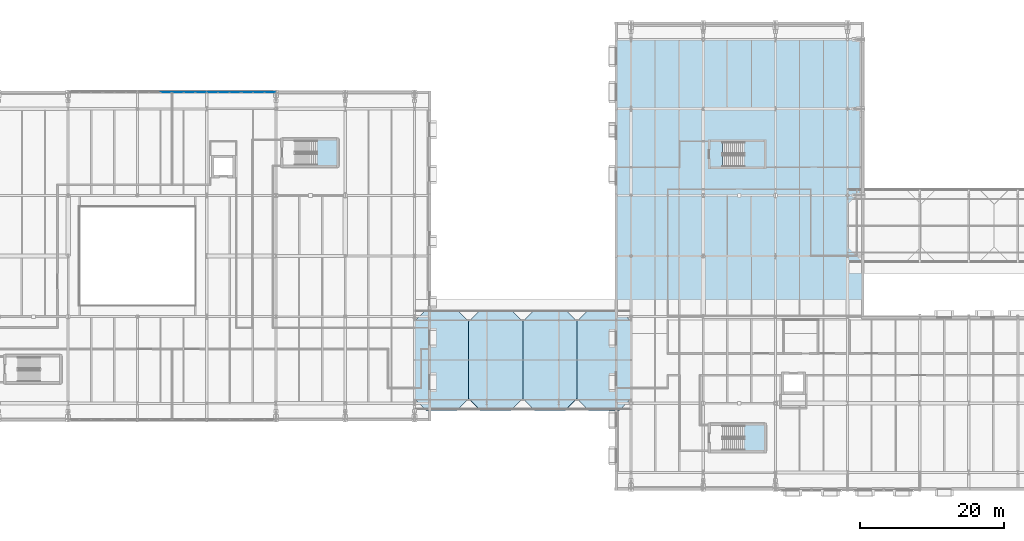
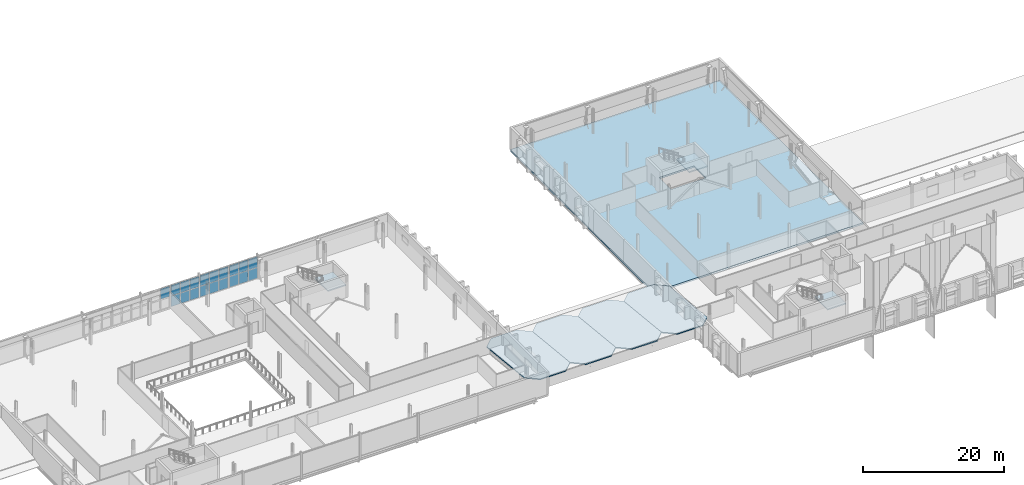
# One storey, part 44 of 90: 19 plates, 8 slabs, 8 elements without a shape of their own.
"""IFC4 building model written with IfcOpenShell, lengths in metres."""

from ifc_helpers import new_model, si_unit, direction, frame, origin, origin_2d, place, context, subcontext, project, spatial, polyline, rectangle, outline, extrude, material, layer, layer_set, type_object, element, aggregate, save


model = new_model("IFC4")

# Units and contexts
model_context = context("Model", 3, precision=1e-05, world=origin(), true_north=direction((0.0, 1.0)))
body_context = subcontext(model_context, "Body", "Model", "MODEL_VIEW")
ifc_project = project(units=[si_unit("LENGTHUNIT", "METRE"), si_unit("AREAUNIT", "SQUARE_METRE"), si_unit("VOLUMEUNIT", "CUBIC_METRE"), si_unit("PLANEANGLEUNIT", "RADIAN"), si_unit("MASSUNIT", "GRAM", prefix="KILO")], contexts=[model_context])

# Site, building, storey
site_placement = place(None, origin())
site = spatial("IfcSite", under=ifc_project, at=site_placement, CompositionType="ELEMENT")
building_placement = place(site_placement, origin())
building = spatial("IfcBuilding", under=site, at=building_placement, Name="Zereglee Splitstone Museum", CompositionType="ELEMENT")
storey_placement = place(building_placement, frame((0.0, 0.0, 4.800048828125)))
storey = spatial("IfcBuildingStorey", under=building, at=storey_placement, Name="L01", CompositionType="ELEMENT", Elevation=4.800048828125)

# Curtain wall, plates
ifc_material_1 = material(Name="Triple-glazed low-E argon glass and bronze-anodised aluminium", Category="aluminium")
ifc_layer_1 = layer(ifc_material_1, 0.219970703125)
ifc_layer_set_1 = layer_set([ifc_layer_1], Name="Triple-glazed low-E argon glass and bronze-anodised aluminium")
curtain_wall_type_1 = type_object("IfcCurtainWallType", Name="CW-0476-390", PredefinedType="USERDEFINED", material=ifc_layer_set_1)
curtain_wall_1_placement = place(storey_placement, origin())
curtain_wall_1 = element("IfcCurtainWall", 1, at=curtain_wall_1_placement, inside=storey, type_object=curtain_wall_type_1, Name="Glazed Curtain Wall CW-0476-390 (L01)", ObjectType="GLAZED CURTAIN WALL", PredefinedType="USERDEFINED")
ifc_material_2 = material(Name="Triple low-e argon insulated safety glass", Category="glass")
ifc_layer_2 = layer(ifc_material_2, 0.035888671875)
ifc_layer_set_2 = layer_set([ifc_layer_2], Name="Triple low-e argon insulated safety glass")
plate_type = type_object("IfcPlateType", Name="CWP-01", PredefinedType="CURTAIN_PANEL", material=ifc_layer_set_2)
plate_1_placement = place(storey_placement, frame((125.18798828125, 52.679931640625, 0.074951171875), z_axis=(0.0, 0.0, 1.0), x_axis=(-1.0, 0.0, 0.0)))
plate_1 = element("IfcPlate", 2, at=plate_1_placement, type_object=plate_type, Name="CW-0476-390 panel 1.1", PredefinedType="CURTAIN_PANEL", context=body_context, shape_type="SweptSolid", body=[
    extrude(rectangle(XDim=1.47412109375, YDim=0.035888671875, at=origin_2d()), origin(), (0.0, 0.0, 1.0), 1.83740234375),
])
plate_2_placement = place(storey_placement, frame((125.18798828125, 52.679931640625, 1.987548828125), z_axis=(0.0, 0.0, 1.0), x_axis=(-1.0, 0.0, 0.0)))
plate_2 = element("IfcPlate", 3, at=plate_2_placement, type_object=plate_type, Name="CW-0476-390 panel 1.2", PredefinedType="CURTAIN_PANEL", context=body_context, shape_type="SweptSolid", body=[
    extrude(rectangle(XDim=1.47412109375, YDim=0.035888671875, at=origin_2d()), origin(), (0.0, 0.0, 1.0), 1.83740234375),
])
plate_3_placement = place(storey_placement, frame((123.6201171875, 52.679931640625, 0.074951171875), z_axis=(0.0, 0.0, 1.0), x_axis=(-1.0, 0.0, 0.0)))
plate_3 = element("IfcPlate", 4, at=plate_3_placement, type_object=plate_type, Name="CW-0476-390 panel 2.1", PredefinedType="CURTAIN_PANEL", context=body_context, shape_type="SweptSolid", body=[
    extrude(rectangle(XDim=1.51171875, YDim=0.035888671875, at=origin_2d()), origin(), (0.0, 0.0, 1.0), 1.83740234375),
])
plate_4_placement = place(storey_placement, frame((123.6201171875, 52.679931640625, 1.987548828125), z_axis=(0.0, 0.0, 1.0), x_axis=(-1.0, 0.0, 0.0)))
plate_4 = element("IfcPlate", 5, at=plate_4_placement, type_object=plate_type, Name="CW-0476-390 panel 2.2", PredefinedType="CURTAIN_PANEL", context=body_context, shape_type="SweptSolid", body=[
    extrude(rectangle(XDim=1.51171875, YDim=0.035888671875, at=origin_2d()), origin(), (0.0, 0.0, 1.0), 1.83740234375),
])
plate_5_placement = place(storey_placement, frame((122.052001953125, 52.679931640625, 0.074951171875), z_axis=(0.0, 0.0, 1.0), x_axis=(-1.0, 0.0, 0.0)))
plate_5 = element("IfcPlate", 6, at=plate_5_placement, type_object=plate_type, Name="CW-0476-390 panel 3.1", PredefinedType="CURTAIN_PANEL", context=body_context, shape_type="SweptSolid", body=[
    extrude(rectangle(XDim=1.47412109375, YDim=0.035888671875, at=origin_2d()), origin(), (0.0, 0.0, 1.0), 1.83740234375),
])
plate_6_placement = place(storey_placement, frame((122.052001953125, 52.679931640625, 1.987548828125), z_axis=(0.0, 0.0, 1.0), x_axis=(-1.0, 0.0, 0.0)))
plate_6 = element("IfcPlate", 7, at=plate_6_placement, type_object=plate_type, Name="CW-0476-390 panel 3.2", PredefinedType="CURTAIN_PANEL", context=body_context, shape_type="SweptSolid", body=[
    extrude(rectangle(XDim=1.47412109375, YDim=0.035888671875, at=origin_2d()), origin(), (0.0, 0.0, 1.0), 1.83740234375),
])
aggregate(curtain_wall_1, [plate_1, plate_2, plate_3, plate_4, plate_5, plate_6])

ifc_layer_3 = layer(ifc_material_1, 0.219970703125)
ifc_layer_set_3 = layer_set([ifc_layer_3], Name="Triple-glazed low-E argon glass and bronze-anodised aluminium")
curtain_wall_type_2 = type_object("IfcCurtainWallType", Name="CW-0476-388", PredefinedType="USERDEFINED", material=ifc_layer_set_3)
curtain_wall_2_placement = place(storey_placement, origin())
curtain_wall_2 = element("IfcCurtainWall", 8, at=curtain_wall_2_placement, inside=storey, type_object=curtain_wall_type_2, Name="Glazed Curtain Wall CW-0476-388 (L01)", ObjectType="GLAZED CURTAIN WALL", PredefinedType="USERDEFINED")
plate_7_placement = place(storey_placement, frame((120.347900390625, 52.679931640625, 0.0751953125), z_axis=(0.0, 0.0, 1.0), x_axis=(-1.0, 0.0, 0.0)))
plate_7 = element("IfcPlate", 9, at=plate_7_placement, type_object=plate_type, Name="CW-0476-388 panel 1.1", PredefinedType="CURTAIN_PANEL", context=body_context, shape_type="SweptSolid", body=[
    extrude(rectangle(XDim=1.47412109375, YDim=0.035888671875, at=origin_2d()), origin(), (0.0, 0.0, 1.0), 1.827392578125),
])
plate_8_placement = place(storey_placement, frame((120.347900390625, 52.679931640625, 1.9775390625), z_axis=(0.0, 0.0, 1.0), x_axis=(-1.0, 0.0, 0.0)))
plate_8 = element("IfcPlate", 10, at=plate_8_placement, type_object=plate_type, Name="CW-0476-388 panel 1.2", PredefinedType="CURTAIN_PANEL", context=body_context, shape_type="SweptSolid", body=[
    extrude(rectangle(XDim=1.47412109375, YDim=0.035888671875, at=origin_2d()), origin(), (0.0, 0.0, 1.0), 1.827392578125),
])
plate_9_placement = place(storey_placement, frame((118.780029296875, 52.679931640625, 0.0751953125), z_axis=(0.0, 0.0, 1.0), x_axis=(-1.0, 0.0, 0.0)))
plate_9 = element("IfcPlate", 11, at=plate_9_placement, type_object=plate_type, Name="CW-0476-388 panel 2.1", PredefinedType="CURTAIN_PANEL", context=body_context, shape_type="SweptSolid", body=[
    extrude(rectangle(XDim=1.51171875, YDim=0.035888671875, at=origin_2d()), origin(), (0.0, 0.0, 1.0), 1.827392578125),
])
plate_10_placement = place(storey_placement, frame((118.780029296875, 52.679931640625, 1.9775390625), z_axis=(0.0, 0.0, 1.0), x_axis=(-1.0, 0.0, 0.0)))
plate_10 = element("IfcPlate", 12, at=plate_10_placement, type_object=plate_type, Name="CW-0476-388 panel 2.2", PredefinedType="CURTAIN_PANEL", context=body_context, shape_type="SweptSolid", body=[
    extrude(rectangle(XDim=1.51171875, YDim=0.035888671875, at=origin_2d()), origin(), (0.0, 0.0, 1.0), 1.827392578125),
])
plate_11_placement = place(storey_placement, frame((117.212158203125, 52.679931640625, 0.0751953125), z_axis=(0.0, 0.0, 1.0), x_axis=(-1.0, 0.0, 0.0)))
plate_11 = element("IfcPlate", 13, at=plate_11_placement, type_object=plate_type, Name="CW-0476-388 panel 3.1", PredefinedType="CURTAIN_PANEL", context=body_context, shape_type="SweptSolid", body=[
    extrude(rectangle(XDim=1.47412109375, YDim=0.035888671875, at=origin_2d()), origin(), (0.0, 0.0, 1.0), 1.827392578125),
])
plate_12_placement = place(storey_placement, frame((117.212158203125, 52.679931640625, 1.9775390625), z_axis=(0.0, 0.0, 1.0), x_axis=(-1.0, 0.0, 0.0)))
plate_12 = element("IfcPlate", 14, at=plate_12_placement, type_object=plate_type, Name="CW-0476-388 panel 3.2", PredefinedType="CURTAIN_PANEL", context=body_context, shape_type="SweptSolid", body=[
    extrude(rectangle(XDim=1.47412109375, YDim=0.035888671875, at=origin_2d()), origin(), (0.0, 0.0, 1.0), 1.827392578125),
])
aggregate(curtain_wall_2, [plate_7, plate_8, plate_9, plate_10, plate_11, plate_12])

ifc_layer_4 = layer(ifc_material_1, 0.219970703125)
ifc_layer_set_4 = layer_set([ifc_layer_4], Name="Triple-glazed low-E argon glass and bronze-anodised aluminium")
curtain_wall_type_3 = type_object("IfcCurtainWallType", Name="CW-0476-384", PredefinedType="USERDEFINED", material=ifc_layer_set_4)
curtain_wall_3_placement = place(storey_placement, origin())
curtain_wall_3 = element("IfcCurtainWall", 15, at=curtain_wall_3_placement, inside=storey, type_object=curtain_wall_type_3, Name="Glazed Curtain Wall CW-0476-384 (L01)", ObjectType="GLAZED CURTAIN WALL", PredefinedType="USERDEFINED")
plate_13_placement = place(storey_placement, frame((115.587890625, 52.679931640625, 0.074951171875), z_axis=(0.0, 0.0, 1.0), x_axis=(-1.0, 0.0, 0.0)))
plate_13 = element("IfcPlate", 16, at=plate_13_placement, type_object=plate_type, Name="CW-0476-384 panel 1.1", PredefinedType="CURTAIN_PANEL", context=body_context, shape_type="SweptSolid", body=[
    extrude(rectangle(XDim=1.47412109375, YDim=0.035888671875, at=origin_2d()), origin(), (0.0, 0.0, 1.0), 1.8076171875),
])
plate_14_placement = place(storey_placement, frame((115.587890625, 52.679931640625, 1.957275390625), z_axis=(0.0, 0.0, 1.0), x_axis=(-1.0, 0.0, 0.0)))
plate_14 = element("IfcPlate", 17, at=plate_14_placement, type_object=plate_type, Name="CW-0476-384 panel 1.2", PredefinedType="CURTAIN_PANEL", context=body_context, shape_type="SweptSolid", body=[
    extrude(rectangle(XDim=1.47412109375, YDim=0.035888671875, at=origin_2d()), origin(), (0.0, 0.0, 1.0), 1.8076171875),
])
plate_15_placement = place(storey_placement, frame((114.02001953125, 52.679931640625, 0.074951171875), z_axis=(0.0, 0.0, 1.0), x_axis=(-1.0, 0.0, 0.0)))
plate_15 = element("IfcPlate", 18, at=plate_15_placement, type_object=plate_type, Name="CW-0476-384 panel 2.1", PredefinedType="CURTAIN_PANEL", context=body_context, shape_type="SweptSolid", body=[
    extrude(rectangle(XDim=1.51171875, YDim=0.035888671875, at=origin_2d()), origin(), (0.0, 0.0, 1.0), 1.8076171875),
])
plate_16_placement = place(storey_placement, frame((114.02001953125, 52.679931640625, 1.957275390625), z_axis=(0.0, 0.0, 1.0), x_axis=(-1.0, 0.0, 0.0)))
plate_16 = element("IfcPlate", 19, at=plate_16_placement, type_object=plate_type, Name="CW-0476-384 panel 2.2", PredefinedType="CURTAIN_PANEL", context=body_context, shape_type="SweptSolid", body=[
    extrude(rectangle(XDim=1.51171875, YDim=0.035888671875, at=origin_2d()), origin(), (0.0, 0.0, 1.0), 1.8076171875),
])
plate_17_placement = place(storey_placement, frame((112.4521484375, 52.679931640625, 0.074951171875), z_axis=(0.0, 0.0, 1.0), x_axis=(-1.0, 0.0, 0.0)))
plate_17 = element("IfcPlate", 20, at=plate_17_placement, type_object=plate_type, Name="CW-0476-384 panel 3.1", PredefinedType="CURTAIN_PANEL", context=body_context, shape_type="SweptSolid", body=[
    extrude(rectangle(XDim=1.47412109375, YDim=0.035888671875, at=origin_2d()), origin(), (0.0, 0.0, 1.0), 1.8076171875),
])
plate_18_placement = place(storey_placement, frame((112.4521484375, 52.679931640625, 1.957275390625), z_axis=(0.0, 0.0, 1.0), x_axis=(-1.0, 0.0, 0.0)))
plate_18 = element("IfcPlate", 21, at=plate_18_placement, type_object=plate_type, Name="CW-0476-384 panel 3.2", PredefinedType="CURTAIN_PANEL", context=body_context, shape_type="SweptSolid", body=[
    extrude(rectangle(XDim=1.47412109375, YDim=0.035888671875, at=origin_2d()), origin(), (0.0, 0.0, 1.0), 1.8076171875),
])
aggregate(curtain_wall_3, [plate_13, plate_14, plate_15, plate_16, plate_17, plate_18])

# Curtain wall, plate
ifc_layer_5 = layer(ifc_material_1, 0.219970703125)
ifc_layer_set_5 = layer_set([ifc_layer_5], Name="Triple-glazed low-E argon glass and bronze-anodised aluminium")
curtain_wall_type_4 = type_object("IfcCurtainWallType", Name="CW-0476-382", PredefinedType="USERDEFINED", material=ifc_layer_set_5)
curtain_wall_4_placement = place(storey_placement, origin())
curtain_wall_4 = element("IfcCurtainWall", 22, at=curtain_wall_4_placement, inside=storey, type_object=curtain_wall_type_4, Name="Glazed Curtain Wall CW-0476-382 (L01)", ObjectType="GLAZED CURTAIN WALL", PredefinedType="USERDEFINED")
plate_19_placement = place(storey_placement, frame((110.747802734375, 52.679931640625, 1.947265625), z_axis=(0.0, 0.0, 1.0), x_axis=(-1.0, 0.0, 0.0)))
plate_19 = element("IfcPlate", 23, at=plate_19_placement, type_object=plate_type, Name="CW-0476-382 panel 1.2", PredefinedType="CURTAIN_PANEL", context=body_context, shape_type="SweptSolid", body=[
    extrude(rectangle(XDim=1.47412109375, YDim=0.035888671875, at=origin_2d()), origin(), (0.0, 0.0, 1.0), 1.797607421875),
])
aggregate(curtain_wall_4, [plate_19])

# Slab
ifc_material_3 = material(Name="Concrete C35/45", Category="concrete")
ifc_layer_6 = layer(ifc_material_3, 0.300048828125)
ifc_layer_set_6 = layer_set([ifc_layer_6], Name="Concrete C35/45")
slab_type_1 = type_object("IfcSlabType", Name="FS-02", PredefinedType="FLOOR", material=ifc_layer_set_6)
slab_1_placement = place(storey_placement, frame((0.0, 0.0, -0.300048828125)))
element("IfcSlab", 24, at=slab_1_placement, inside=storey, type_object=slab_type_1, Name="Gallery Floor Slab L01-V4", PredefinedType="FLOOR", context=body_context, shape_type="SweptSolid", body=[
    extrude(outline(polyline([(173.0, 21.60009765625), (207.39990234375, 21.60009765625), (207.39990234375, 62.39990234375), (173.0, 62.39990234375), (173.0, 21.60009765625)]), holes=[polyline([(187.85400390625, 42.39990234375), (193.60009765625, 42.39990234375), (193.60009765625, 45.800048828125), (187.85400390625, 45.800048828125), (187.85400390625, 42.39990234375)])]), origin(), (0.0, 0.0, 1.0), 0.300048828125),
])

# Roof, slabs
ifc_material_4 = material(Name="Standing-seam zinc roofing on Concrete C35/45", Category="concrete")
ifc_layer_7 = layer(ifc_material_4, 0.219970703125)
ifc_layer_set_7 = layer_set([ifc_layer_7], Name="Concrete C35/45")
roof_type = type_object("IfcRoofType", Name="RF-A1", PredefinedType="SHED_ROOF", material=ifc_layer_set_7)
roof_placement = place(storey_placement, origin())
roof = element("IfcRoof", 25, at=roof_placement, inside=storey, type_object=roof_type, Name="Sloping Split-Rock Roof Assembly RF-L2", PredefinedType="SHED_ROOF")
ifc_layer_8 = layer(ifc_material_3, 0.169921875)
ifc_layer_set_8 = layer_set([ifc_layer_8], Name="Concrete C35/45")
slab_type_2 = type_object("IfcSlabType", Name="RS-05", PredefinedType="ROOF", material=ifc_layer_set_8)
slab_2_placement = place(storey_placement, frame((146.85009765625, 8.60009765625, 1.949951171875), z_axis=(0.0, 0.103718849552, 0.994606656044), x_axis=(1.0, 0.0, 0.0)))
slab_2 = element("IfcSlab", 26, at=slab_2_placement, type_object=slab_type_2, Name="Split-Rock Roof Slab RF-L2 Panel 1", PredefinedType="ROOF", context=body_context, shape_type="SweptSolid", body=[
    extrude(outline(polyline([(0.0, 0.0), (4.199951171875, 0.0), (5.849853515625, 1.6588558521683323), (5.849853515625, 12.416819977389487), (4.199951171875, 14.075918653448456), (0.0, 14.075918653448456), (-1.650146484375, 12.416819977389487), (-1.650146484375, 1.6588558521683323), (0.0, 0.0)])), origin(), (0.0, 0.0, -1.0), 0.169921875),
])
slab_3_placement = place(storey_placement, frame((154.35009765625, 8.60009765625, 1.949951171875), z_axis=(0.0, 0.103718849552, 0.994606656044), x_axis=(1.0, 0.0, 0.0)))
slab_3 = element("IfcSlab", 27, at=slab_3_placement, type_object=slab_type_2, Name="Split-Rock Roof Slab RF-L2 Panel 2", PredefinedType="ROOF", context=body_context, shape_type="SweptSolid", body=[
    extrude(outline(polyline([(0.0, 0.0), (4.199951171875, 0.0), (5.849853515625, 1.6588558521683323), (5.849853515625, 12.416819977389487), (4.199951171875, 14.075918653448456), (0.0, 14.075918653448456), (-1.650146484375, 12.416819977389487), (-1.650146484375, 1.6588558521683323), (0.0, 0.0)])), origin(), (0.0, 0.0, -1.0), 0.169921875),
])
slab_4_placement = place(storey_placement, frame((161.85009765625, 8.60009765625, 1.949951171875), z_axis=(0.0, 0.103718849552, 0.994606656044), x_axis=(1.0, 0.0, 0.0)))
slab_4 = element("IfcSlab", 28, at=slab_4_placement, type_object=slab_type_2, Name="Split-Rock Roof Slab RF-L2 Panel 3", PredefinedType="ROOF", context=body_context, shape_type="SweptSolid", body=[
    extrude(outline(polyline([(0.0, 0.0), (4.199951171875, 0.0), (5.849853515625, 1.6588558521683323), (5.849853515625, 12.416819977389487), (4.199951171875, 14.075918653448456), (0.0, 14.075918653448456), (-1.650146484375, 12.416819977389487), (-1.650146484375, 1.6588558521683323), (0.0, 0.0)])), origin(), (0.0, 0.0, -1.0), 0.169921875),
])
slab_5_placement = place(storey_placement, frame((169.35009765625, 8.60009765625, 1.949951171875), z_axis=(0.0, 0.103718849552, 0.994606656044), x_axis=(1.0, 0.0, 0.0)))
slab_5 = element("IfcSlab", 29, at=slab_5_placement, type_object=slab_type_2, Name="Split-Rock Roof Slab RF-L2 Panel 4", PredefinedType="ROOF", context=body_context, shape_type="SweptSolid", body=[
    extrude(outline(polyline([(0.0, 0.0), (4.199951171875, 0.0), (5.849853515625, 1.6588558521683323), (5.849853515625, 12.416819977389487), (4.199951171875, 14.075918653448456), (0.0, 14.075918653448456), (-1.650146484375, 12.416819977389487), (-1.650146484375, 1.6588558521683323), (0.0, 0.0)])), origin(), (0.0, 0.0, -1.0), 0.169921875),
])
aggregate(roof, [slab_2, slab_3, slab_4, slab_5])

# Stair, slab
stair_type_1 = type_object("IfcStairType", Name="ST-03B", PredefinedType="HALF_TURN_STAIR", material=ifc_material_3)
stair_1_placement = place(storey_placement, origin())
stair_1 = element("IfcStair", 30, at=stair_1_placement, inside=storey, type_object=stair_type_1, Name="L01 Protected Exit Stair ST-03 B", PredefinedType="HALF_TURN_STAIR")
ifc_layer_9 = layer(ifc_material_3, 0.199951171875)
ifc_layer_set_9 = layer_set([ifc_layer_9], Name="Concrete C35/45")
slab_type_3 = type_object("IfcSlabType", Name="ST-03B", PredefinedType="LANDING", material=ifc_layer_set_9)
slab_6_placement = place(storey_placement, frame((0.0, 0.0, 1.89990234375)))
slab_6 = element("IfcSlab", 31, at=slab_6_placement, type_object=slab_type_3, Name="ST-03B landing 1", PredefinedType="LANDING", context=body_context, shape_type="SweptSolid", body=[
    extrude(outline(polyline([(131.550048828125, 42.4599609375), (134.5400390625, 42.4599609375), (134.5400390625, 46.139892578125), (131.550048828125, 46.139892578125), (131.550048828125, 42.4599609375)])), origin(), (0.0, 0.0, 1.0), 0.199951171875),
])
aggregate(stair_1, [slab_6])

stair_type_2 = type_object("IfcStairType", Name="ST-04B", PredefinedType="HALF_TURN_STAIR", material=ifc_material_3)
stair_2_placement = place(storey_placement, origin())
stair_2 = element("IfcStair", 32, at=stair_2_placement, inside=storey, type_object=stair_type_2, Name="L01 Protected Exit Stair ST-04 B", PredefinedType="HALF_TURN_STAIR")
ifc_layer_10 = layer(ifc_material_3, 0.199951171875)
ifc_layer_set_10 = layer_set([ifc_layer_10], Name="Concrete C35/45")
slab_type_4 = type_object("IfcSlabType", Name="ST-04B", PredefinedType="LANDING", material=ifc_layer_set_10)
slab_7_placement = place(storey_placement, frame((0.0, 0.0, 1.89990234375)))
slab_7 = element("IfcSlab", 33, at=slab_7_placement, type_object=slab_type_4, Name="ST-04B landing 1", PredefinedType="LANDING", context=body_context, shape_type="SweptSolid", body=[
    extrude(outline(polyline([(190.75, 2.9599609375), (193.739990234375, 2.9599609375), (193.739990234375, 6.639892578125), (190.75, 6.639892578125), (190.75, 2.9599609375)])), origin(), (0.0, 0.0, 1.0), 0.199951171875),
])
aggregate(stair_2, [slab_7])

stair_type_3 = type_object("IfcStairType", Name="ST-07B", PredefinedType="HALF_TURN_STAIR", material=ifc_material_3)
stair_3_placement = place(storey_placement, origin())
stair_3 = element("IfcStair", 34, at=stair_3_placement, inside=storey, type_object=stair_type_3, Name="L01 Protected Exit Stair ST-07 B", PredefinedType="HALF_TURN_STAIR")
ifc_layer_11 = layer(ifc_material_3, 0.199951171875)
ifc_layer_set_11 = layer_set([ifc_layer_11], Name="Concrete C35/45")
slab_type_5 = type_object("IfcSlabType", Name="ST-07B", PredefinedType="LANDING", material=ifc_layer_set_11)
slab_8_placement = place(storey_placement, frame((0.0, 0.0, 1.89990234375)))
slab_8 = element("IfcSlab", 35, at=slab_8_placement, type_object=slab_type_5, Name="ST-07B landing 1", PredefinedType="LANDING", context=body_context, shape_type="SweptSolid", body=[
    extrude(outline(polyline([(190.75, 42.260009765625), (193.739990234375, 42.260009765625), (193.739990234375, 45.93994140625), (190.75, 45.93994140625), (190.75, 42.260009765625)])), origin(), (0.0, 0.0, 1.0), 0.199951171875),
])
aggregate(stair_3, [slab_8])

save(model, "model.ifc")
